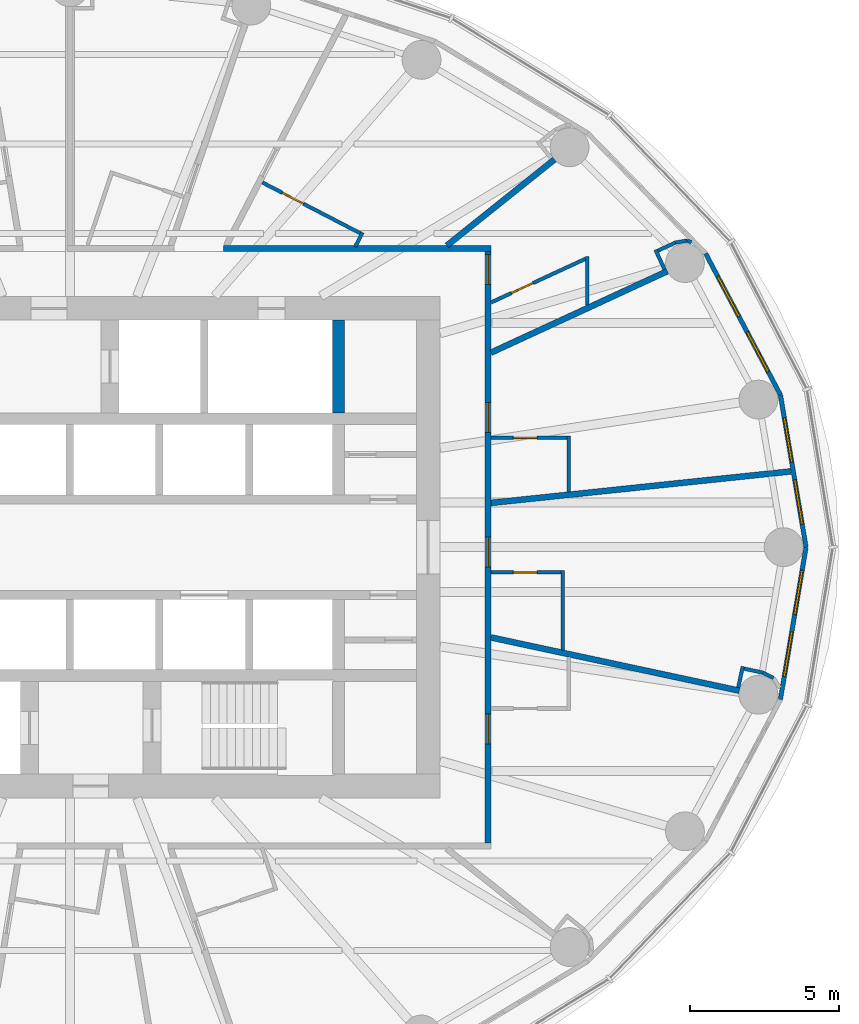
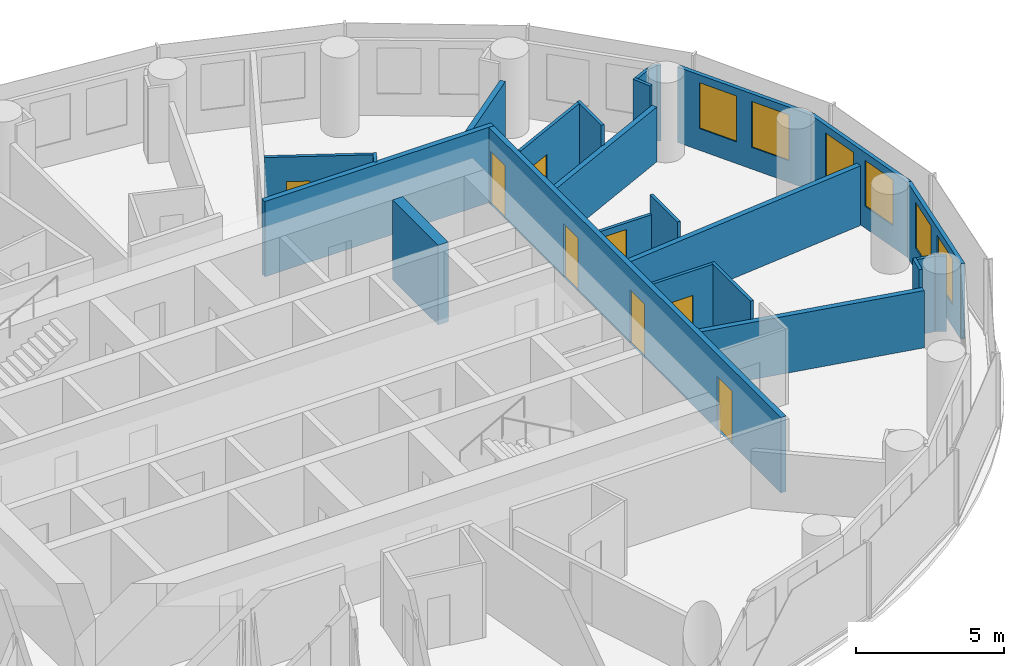
# One storey, part 10 of 14: 25 walls, 8 doors, 6 windows, 14 openings.
"""IFC4 building model written with IfcOpenShell, lengths in metres."""

from ifc_helpers import new_model, si_unit, direction, frame, frame_2d, origin, place, context, subcontext, project, spatial, rectangle, extrude, material, layer, layer_set, type_object, element, fill, save


model = new_model("IFC4")

# Units and contexts
model_context = context("Model", 3, precision=1e-05, world=origin(), true_north=direction((0.0, 1.0)))
body_context = subcontext(model_context, "Body", "Model", "MODEL_VIEW")
ifc_project = project(units=[si_unit("LENGTHUNIT", "METRE"), si_unit("AREAUNIT", "SQUARE_METRE"), si_unit("VOLUMEUNIT", "CUBIC_METRE"), si_unit("PLANEANGLEUNIT", "RADIAN"), si_unit("MASSUNIT", "GRAM", prefix="KILO")], contexts=[model_context])

# Site, building, storey
site_placement = place(None, origin())
site = spatial("IfcSite", under=ifc_project, at=site_placement, CompositionType="ELEMENT")
building_placement = place(site_placement, origin())
building = spatial("IfcBuilding", under=site, at=building_placement, Name="Hankou Lantern Tower", CompositionType="ELEMENT")
storey_placement = place(building_placement, frame((0.0, 0.0, 115.5)))
storey = spatial("IfcBuildingStorey", under=building, at=storey_placement, Name="L29", CompositionType="ELEMENT", Elevation=115.5)

# Wall
ifc_material_1 = material(Name="Concrete C60", Category="concrete")
ifc_layer_1 = layer(ifc_material_1, 0.39990234375)
ifc_layer_set_1 = layer_set([ifc_layer_1], Name="Concrete C60")
wall_type_1 = type_object("IfcWallType", Name="CW4 CORE CROSS WALL 400", PredefinedType="SHEAR", material=ifc_layer_set_1)
wall_1_placement = place(storey_placement, frame((9.0, 4.5, 0.0), z_axis=(0.0, 0.0, 1.0), x_axis=(0.0, 1.0, 0.0)))
element("IfcWall", 1, at=wall_1_placement, inside=storey, type_object=wall_type_1, Name="Core strip wall L29", PredefinedType="SHEAR", context=body_context, shape_type="SweptSolid", body=[
    extrude(rectangle(XDim=3.10009765625, YDim=0.39990234375, at=frame_2d((1.550048828125, 0.0))), origin(), (0.0, 0.0, 1.0), 3.300048828125),
])

# Wall, openings, windows
ifc_material_2 = material(Name="Aluminium spandrel panel on steel studs", Category="steel")
ifc_layer_2 = layer(ifc_material_2, 0.14990234375)
ifc_layer_set_2 = layer_set([ifc_layer_2], Name="Aluminium spandrel panel on steel studs")
wall_type_2 = type_object("IfcWallType", Name="EW1 INNER SKIN WALL 150", PredefinedType="ELEMENTEDWALL", material=ifc_layer_set_2)
wall_2_placement = place(storey_placement, frame((24.64990234375, 0.0, 0.0), z_axis=(0.0, 0.0, 1.0), x_axis=(-0.165883894218, 0.986145290329, 0.0)))
wall_2 = element("IfcWall", 2, at=wall_2_placement, inside=storey, type_object=wall_type_2, Name="Inner skin R01-R02 L29", PredefinedType="ELEMENTEDWALL", context=body_context, shape_type="SweptSolid", body=[
    extrude(rectangle(XDim=5.171630859375, YDim=0.14990234375, at=frame_2d((2.5859375, 0.0))), origin(), (0.0, 0.0, 1.0), 3.1201171875),
])
opening_1_placement = place(wall_2_placement, frame((0.785888671875, 0.0, 0.89990234375)))
opening_1 = element("IfcOpeningElement", 3, at=opening_1_placement, cuts=wall_2, Name="Opening W2", PredefinedType="OPENING", context=body_context, shape_type="SweptSolid", body=[
    extrude(rectangle(XDim=1.5, YDim=1.89990234375, at=frame_2d((0.75, 0.949951171875))), frame((0.0, 0.0849609375, 0.0), z_axis=(0.0, -1.0, 0.0), x_axis=(1.0, 0.0, 0.0)), (0.0, 0.0, 1.0), 0.169921875),
])
opening_2_placement = place(wall_2_placement, frame((2.8857421875, 0.0, 0.89990234375)))
opening_2 = element("IfcOpeningElement", 4, at=opening_2_placement, cuts=wall_2, Name="Opening W2", PredefinedType="OPENING", context=body_context, shape_type="SweptSolid", body=[
    extrude(rectangle(XDim=1.5, YDim=1.89990234375, at=frame_2d((0.75, 0.949951171875))), frame((0.0, 0.0849609375, 0.0), z_axis=(0.0, -1.0, 0.0), x_axis=(1.0, 0.0, 0.0)), (0.0, 0.0, 1.0), 0.169921875),
])
ifc_material_3 = material(Name="Aluminium framed double glazed window", Category="aluminium")
window_type = type_object("IfcWindowType", Name="W2 GUEST ROOM WINDOW 1500X1900", PartitioningType="DOUBLE_PANEL_VERTICAL", PredefinedType="WINDOW", material=ifc_material_3)
window_1_placement = place(opening_1_placement, origin())
window_1 = element("IfcWindow", 5, at=window_1_placement, inside=storey, type_object=window_type, Name="Window R01.1 L29", OverallHeight=1.89990234375, OverallWidth=1.5, PartitioningType="SINGLE_PANEL", PredefinedType="WINDOW", context=body_context, shape_type="SweptSolid", body=[
    extrude(rectangle(XDim=1.5, YDim=1.89990234375, at=frame_2d((0.75, 0.949951171875))), frame((0.0, 0.030029296875, 0.0), z_axis=(0.0, -1.0, 0.0), x_axis=(1.0, 0.0, 0.0)), (0.0, 0.0, 1.0), 0.06005859375),
])
fill(opening_1, window_1)
window_2_placement = place(opening_2_placement, origin())
window_2 = element("IfcWindow", 6, at=window_2_placement, inside=storey, type_object=window_type, Name="Window R01.2 L29", OverallHeight=1.89990234375, OverallWidth=1.5, PartitioningType="SINGLE_PANEL", PredefinedType="WINDOW", context=body_context, shape_type="SweptSolid", body=[
    extrude(rectangle(XDim=1.5, YDim=1.89990234375, at=frame_2d((0.75, 0.949951171875))), frame((0.0, 0.030029296875, 0.0), z_axis=(0.0, -1.0, 0.0), x_axis=(1.0, 0.0, 0.0)), (0.0, 0.0, 1.0), 0.06005859375),
])
fill(opening_2, window_2)

wall_3_placement = place(storey_placement, frame((23.7919921875, 5.10009765625, 0.0), z_axis=(0.0, 0.0, 1.0), x_axis=(-0.467814388454, 0.883826735257, 0.0)))
wall_3 = element("IfcWall", 7, at=wall_3_placement, inside=storey, type_object=wall_type_2, Name="Inner skin R02-R03 L29", PredefinedType="ELEMENTEDWALL", context=body_context, shape_type="SweptSolid", body=[
    extrude(rectangle(XDim=5.35400390625, YDim=0.14990234375, at=frame_2d((2.677001953125, 0.0))), origin(), (0.0, 0.0, 1.0), 3.1201171875),
])
opening_3_placement = place(wall_3_placement, frame((0.876953125, 0.0, 0.89990234375)))
opening_3 = element("IfcOpeningElement", 8, at=opening_3_placement, cuts=wall_3, Name="Opening W2", PredefinedType="OPENING", context=body_context, shape_type="SweptSolid", body=[
    extrude(rectangle(XDim=1.5, YDim=1.89990234375, at=frame_2d((0.75, 0.949951171875))), frame((0.0, 0.0849609375, 0.0), z_axis=(0.0, -1.0, 0.0), x_axis=(1.0, 0.0, 0.0)), (0.0, 0.0, 1.0), 0.169921875),
])
opening_4_placement = place(wall_3_placement, frame((2.97705078125, 0.0, 0.89990234375)))
opening_4 = element("IfcOpeningElement", 9, at=opening_4_placement, cuts=wall_3, Name="Opening W2", PredefinedType="OPENING", context=body_context, shape_type="SweptSolid", body=[
    extrude(rectangle(XDim=1.5, YDim=1.89990234375, at=frame_2d((0.75, 0.949951171875))), frame((0.0, 0.0849609375, 0.0), z_axis=(0.0, -1.0, 0.0), x_axis=(1.0, 0.0, 0.0)), (0.0, 0.0, 1.0), 0.169921875),
])
window_3_placement = place(opening_3_placement, origin())
window_3 = element("IfcWindow", 10, at=window_3_placement, inside=storey, type_object=window_type, Name="Window R02.1 L29", OverallHeight=1.89990234375, OverallWidth=1.5, PartitioningType="SINGLE_PANEL", PredefinedType="WINDOW", context=body_context, shape_type="SweptSolid", body=[
    extrude(rectangle(XDim=1.5, YDim=1.89990234375, at=frame_2d((0.75, 0.949951171875))), frame((0.0, 0.030029296875, 0.0), z_axis=(0.0, -1.0, 0.0), x_axis=(1.0, 0.0, 0.0)), (0.0, 0.0, 1.0), 0.06005859375),
])
fill(opening_3, window_3)
window_4_placement = place(opening_4_placement, origin())
window_4 = element("IfcWindow", 11, at=window_4_placement, inside=storey, type_object=window_type, Name="Window R02.2 L29", OverallHeight=1.89990234375, OverallWidth=1.5, PartitioningType="SINGLE_PANEL", PredefinedType="WINDOW", context=body_context, shape_type="SweptSolid", body=[
    extrude(rectangle(XDim=1.5, YDim=1.89990234375, at=frame_2d((0.75, 0.949951171875))), frame((0.0, 0.030029296875, 0.0), z_axis=(0.0, -1.0, 0.0), x_axis=(1.0, 0.0, 0.0)), (0.0, 0.0, 1.0), 0.06005859375),
])
fill(opening_4, window_4)

wall_4_placement = place(storey_placement, frame((23.7919921875, -5.10009765625, 0.0), z_axis=(0.0, 0.0, 1.0), x_axis=(0.165883894218, 0.986145290329, 0.0)))
wall_4 = element("IfcWall", 12, at=wall_4_placement, inside=storey, type_object=wall_type_2, Name="Inner skin R24-R01 L29", PredefinedType="ELEMENTEDWALL", context=body_context, shape_type="SweptSolid", body=[
    extrude(rectangle(XDim=5.171630859375, YDim=0.14990234375, at=frame_2d((2.5859375, 0.0))), origin(), (0.0, 0.0, 1.0), 3.1201171875),
])
opening_5_placement = place(wall_4_placement, frame((0.785888671875, 0.0, 0.89990234375)))
opening_5 = element("IfcOpeningElement", 13, at=opening_5_placement, cuts=wall_4, Name="Opening W2", PredefinedType="OPENING", context=body_context, shape_type="SweptSolid", body=[
    extrude(rectangle(XDim=1.5, YDim=1.89990234375, at=frame_2d((0.75, 0.949951171875))), frame((0.0, 0.0849609375, 0.0), z_axis=(0.0, -1.0, 0.0), x_axis=(1.0, 0.0, 0.0)), (0.0, 0.0, 1.0), 0.169921875),
])
opening_6_placement = place(wall_4_placement, frame((2.8857421875, 0.0, 0.89990234375)))
opening_6 = element("IfcOpeningElement", 14, at=opening_6_placement, cuts=wall_4, Name="Opening W2", PredefinedType="OPENING", context=body_context, shape_type="SweptSolid", body=[
    extrude(rectangle(XDim=1.5, YDim=1.89990234375, at=frame_2d((0.75, 0.949951171875))), frame((0.0, 0.0849609375, 0.0), z_axis=(0.0, -1.0, 0.0), x_axis=(1.0, 0.0, 0.0)), (0.0, 0.0, 1.0), 0.169921875),
])
window_5_placement = place(opening_5_placement, origin())
window_5 = element("IfcWindow", 15, at=window_5_placement, inside=storey, type_object=window_type, Name="Window R24.1 L29", OverallHeight=1.89990234375, OverallWidth=1.5, PartitioningType="SINGLE_PANEL", PredefinedType="WINDOW", context=body_context, shape_type="SweptSolid", body=[
    extrude(rectangle(XDim=1.5, YDim=1.89990234375, at=frame_2d((0.75, 0.949951171875))), frame((0.0, 0.030029296875, 0.0), z_axis=(0.0, -1.0, 0.0), x_axis=(1.0, 0.0, 0.0)), (0.0, 0.0, 1.0), 0.06005859375),
])
fill(opening_5, window_5)
window_6_placement = place(opening_6_placement, origin())
window_6 = element("IfcWindow", 16, at=window_6_placement, inside=storey, type_object=window_type, Name="Window R24.2 L29", OverallHeight=1.89990234375, OverallWidth=1.5, PartitioningType="SINGLE_PANEL", PredefinedType="WINDOW", context=body_context, shape_type="SweptSolid", body=[
    extrude(rectangle(XDim=1.5, YDim=1.89990234375, at=frame_2d((0.75, 0.949951171875))), frame((0.0, 0.030029296875, 0.0), z_axis=(0.0, -1.0, 0.0), x_axis=(1.0, 0.0, 0.0)), (0.0, 0.0, 1.0), 0.06005859375),
])
fill(opening_6, window_6)

# Walls
ifc_material_4 = material(Name="Masonry lightweight concrete block", Category="masonry")
ifc_layer_3 = layer(ifc_material_4, 0.199951171875)
ifc_layer_set_3 = layer_set([ifc_layer_3], Name="Masonry lightweight concrete block")
wall_type_3 = type_object("IfcWallType", Name="IW1 GUEST ROOM PARTY WALL 200", PredefinedType="PARTITIONING", material=ifc_layer_set_3)
wall_5_placement = place(storey_placement, frame((14.10009765625, 1.481689453125, 0.0), z_axis=(0.0, 0.0, 1.0), x_axis=(0.994523202615, 0.104516024894, 0.0)))
element("IfcWall", 17, at=wall_5_placement, inside=storey, type_object=wall_type_3, Name="Party wall R01-R02", PredefinedType="PARTITIONING", context=body_context, shape_type="SweptSolid", body=[
    extrude(rectangle(XDim=10.091064453125, YDim=0.199951171875, at=frame_2d((5.04541015625, 0.0))), origin(), (0.0, 0.0, 1.0), 2.469970703125),
])
wall_6_placement = place(storey_placement, frame((14.10009765625, 6.512451171875, 0.0), z_axis=(0.0, 0.0, 1.0), x_axis=(0.907833019998, 0.419331858797, 0.0)))
element("IfcWall", 18, at=wall_6_placement, inside=storey, type_object=wall_type_3, Name="Party wall R03", PredefinedType="PARTITIONING", context=body_context, shape_type="SweptSolid", body=[
    extrude(rectangle(XDim=6.505126953125, YDim=0.199951171875, at=frame_2d((3.25244140625, 0.0))), origin(), (0.0, 0.0, 1.0), 2.27001953125),
])
wall_7_placement = place(storey_placement, frame((12.625, 10.10009765625, 0.0), z_axis=(0.0, 0.0, 1.0), x_axis=(0.780863644897, 0.624701503182, 0.0)))
element("IfcWall", 19, at=wall_7_placement, inside=storey, type_object=wall_type_3, Name="Party wall R04", PredefinedType="PARTITIONING", context=body_context, shape_type="SweptSolid", body=[
    extrude(rectangle(XDim=4.612060546875, YDim=0.199951171875, at=frame_2d((2.30615234375, 0.0))), origin(), (0.0, 0.0, 1.0), 2.3701171875),
])
wall_8_placement = place(storey_placement, frame((14.10009765625, -3.0224609375, 0.0), z_axis=(0.0, 0.0, 1.0), x_axis=(0.977783513367, -0.209617272638, 0.0)))
element("IfcWall", 20, at=wall_8_placement, inside=storey, type_object=wall_type_3, Name="Party wall R24", PredefinedType="PARTITIONING", context=body_context, shape_type="SweptSolid", body=[
    extrude(rectangle(XDim=8.508056640625, YDim=0.199951171875, at=frame_2d((4.25390625, 0.0))), origin(), (0.0, 0.0, 1.0), 2.3701171875),
])

# Wall, openings, doors
ifc_material_5 = material(Name="Masonry lightweight concrete block", Category="masonry")
ifc_layer_4 = layer(ifc_material_5, 0.199951171875)
ifc_layer_set_4 = layer_set([ifc_layer_4], Name="Masonry lightweight concrete block")
wall_type_4 = type_object("IfcWallType", Name="IW2 CORRIDOR WALL 200", PredefinedType="PARTITIONING", material=ifc_layer_set_4)
wall_9_placement = place(storey_placement, frame((14.0, -9.89990234375, 0.0), z_axis=(0.0, 0.0, 1.0), x_axis=(0.0, 1.0, 0.0)))
wall_9 = element("IfcWall", 21, at=wall_9_placement, inside=storey, type_object=wall_type_4, Name="Corridor wall east", PredefinedType="PARTITIONING", context=body_context, shape_type="SweptSolid", body=[
    extrude(rectangle(XDim=19.7998046875, YDim=0.199951171875, at=frame_2d((9.89990234375, 0.0))), origin(), (0.0, 0.0, 1.0), 3.1201171875),
])
opening_7_placement = place(wall_9_placement, frame((3.317626953125, 0.0, 0.0)))
opening_7 = element("IfcOpeningElement", 22, at=opening_7_placement, cuts=wall_9, Name="Opening D2", PredefinedType="OPENING", context=body_context, shape_type="SweptSolid", body=[
    extrude(rectangle(XDim=1.0, YDim=2.199951171875, at=frame_2d((0.5, 1.10009765625))), frame((0.0, 0.10986328125, 0.0), z_axis=(0.0, -1.0, 0.0), x_axis=(1.0, 0.0, 0.0)), (0.0, 0.0, 1.0), 0.219970703125),
])
opening_8_placement = place(wall_9_placement, frame((9.237548828125, 0.0, 0.0)))
opening_8 = element("IfcOpeningElement", 23, at=opening_8_placement, cuts=wall_9, Name="Opening D1", PredefinedType="OPENING", context=body_context, shape_type="SweptSolid", body=[
    extrude(rectangle(XDim=1.0, YDim=2.199951171875, at=frame_2d((0.5, 1.10009765625))), frame((0.0, 0.10986328125, 0.0), z_axis=(0.0, -1.0, 0.0), x_axis=(1.0, 0.0, 0.0)), (0.0, 0.0, 1.0), 0.219970703125),
])
opening_9_placement = place(wall_9_placement, frame((13.74169921875, 0.0, 0.0)))
opening_9 = element("IfcOpeningElement", 24, at=opening_9_placement, cuts=wall_9, Name="Opening D1", PredefinedType="OPENING", context=body_context, shape_type="SweptSolid", body=[
    extrude(rectangle(XDim=1.0, YDim=2.199951171875, at=frame_2d((0.5, 1.10009765625))), frame((0.0, 0.10986328125, 0.0), z_axis=(0.0, -1.0, 0.0), x_axis=(1.0, 0.0, 0.0)), (0.0, 0.0, 1.0), 0.219970703125),
])
opening_10_placement = place(wall_9_placement, frame((18.697509765625, 0.0, 0.0)))
opening_10 = element("IfcOpeningElement", 25, at=opening_10_placement, cuts=wall_9, Name="Opening D1", PredefinedType="OPENING", context=body_context, shape_type="SweptSolid", body=[
    extrude(rectangle(XDim=1.0, YDim=2.199951171875, at=frame_2d((0.5, 1.10009765625))), frame((0.0, 0.10986328125, 0.0), z_axis=(0.0, -1.0, 0.0), x_axis=(1.0, 0.0, 0.0)), (0.0, 0.0, 1.0), 0.219970703125),
])
ifc_material_6 = material(Name="Steel door leaf", Category="steel")
door_type_1 = type_object("IfcDoorType", Name="D1 GUEST ROOM DOOR 1000X2200", OperationType="SINGLE_SWING_LEFT", PredefinedType="DOOR", material=ifc_material_6)
door_1_placement = place(opening_8_placement, origin())
door_1 = element("IfcDoor", 26, at=door_1_placement, inside=storey, type_object=door_type_1, Name="Guest room door 2917", OperationType="SINGLE_SWING_LEFT", OverallHeight=2.199951171875, OverallWidth=1.0, PredefinedType="DOOR", context=body_context, shape_type="SweptSolid", body=[
    extrude(rectangle(XDim=1.0, YDim=2.199951171875, at=frame_2d((0.5, 1.10009765625))), frame((0.0, 0.02490234375, 0.0), z_axis=(0.0, -1.0, 0.0), x_axis=(1.0, 0.0, 0.0)), (0.0, 0.0, 1.0), 0.050048828125),
])
fill(opening_8, door_1)
door_2_placement = place(opening_9_placement, origin())
door_2 = element("IfcDoor", 27, at=door_2_placement, inside=storey, type_object=door_type_1, Name="Guest room door 2918", OperationType="SINGLE_SWING_RIGHT", OverallHeight=2.199951171875, OverallWidth=1.0, PredefinedType="DOOR", context=body_context, shape_type="SweptSolid", body=[
    extrude(rectangle(XDim=1.0, YDim=2.199951171875, at=frame_2d((0.5, 1.10009765625))), frame((0.0, 0.02490234375, 0.0), z_axis=(0.0, -1.0, 0.0), x_axis=(1.0, 0.0, 0.0)), (0.0, 0.0, 1.0), 0.050048828125),
])
fill(opening_9, door_2)
door_3_placement = place(opening_10_placement, origin())
door_3 = element("IfcDoor", 28, at=door_3_placement, inside=storey, type_object=door_type_1, Name="Guest room door 2919", OperationType="SINGLE_SWING_RIGHT", OverallHeight=2.199951171875, OverallWidth=1.0, PredefinedType="DOOR", context=body_context, shape_type="SweptSolid", body=[
    extrude(rectangle(XDim=1.0, YDim=2.199951171875, at=frame_2d((0.5, 1.10009765625))), frame((0.0, 0.02490234375, 0.0), z_axis=(0.0, -1.0, 0.0), x_axis=(1.0, 0.0, 0.0)), (0.0, 0.0, 1.0), 0.050048828125),
])
fill(opening_10, door_3)
ifc_material_7 = material(Name="Steel door leaf", Category="steel")
door_type_2 = type_object("IfcDoorType", Name="D2 SUITE DOOR 1000X2200", OperationType="SINGLE_SWING_LEFT", PredefinedType="DOOR", material=ifc_material_7)
door_4_placement = place(opening_7_placement, origin())
door_4 = element("IfcDoor", 29, at=door_4_placement, inside=storey, type_object=door_type_2, Name="Suite door 2916", OperationType="SINGLE_SWING_LEFT", OverallHeight=2.199951171875, OverallWidth=1.0, PredefinedType="DOOR", context=body_context, shape_type="SweptSolid", body=[
    extrude(rectangle(XDim=1.0, YDim=2.199951171875, at=frame_2d((0.5, 1.10009765625))), frame((0.0, 0.02490234375, 0.0), z_axis=(0.0, -1.0, 0.0), x_axis=(1.0, 0.0, 0.0)), (0.0, 0.0, 1.0), 0.050048828125),
])
fill(opening_7, door_4)

# Walls
wall_10_placement = place(storey_placement, frame((5.13916015625, 10.0, 0.0), z_axis=(0.0, 0.0, 1.0), x_axis=(1.0, 0.0, 0.0)))
element("IfcWall", 30, at=wall_10_placement, inside=storey, type_object=wall_type_4, Name="Corridor wall north", PredefinedType="PARTITIONING", context=body_context, shape_type="SweptSolid", body=[
    extrude(rectangle(XDim=8.9609375, YDim=0.199951171875, at=frame_2d((4.48046875, 0.0))), origin(), (0.0, 0.0, 1.0), 3.1201171875),
])
ifc_material_8 = material(Name="Masonry lightweight concrete block", Category="masonry")
ifc_layer_5 = layer(ifc_material_8, 0.1201171875)
ifc_layer_set_5 = layer_set([ifc_layer_5], Name="Masonry lightweight concrete block")
wall_type_5 = type_object("IfcWallType", Name="IW3 BATHROOM WALL 120", PredefinedType="PARTITIONING", material=ifc_layer_set_5)
wall_11_placement = place(storey_placement, frame((16.5, -3.43701171875, 0.0), z_axis=(0.0, 0.0, 1.0), x_axis=(0.0, 1.0, 0.0)))
element("IfcWall", 31, at=wall_11_placement, inside=storey, type_object=wall_type_5, Name="Box wall 2917 1", PredefinedType="PARTITIONING", context=body_context, shape_type="SweptSolid", body=[
    extrude(rectangle(XDim=2.654541015625, YDim=0.1201171875, at=frame_2d((1.3271484375, 0.0))), origin(), (0.0, 0.0, 1.0), 3.1201171875),
])

# Wall, opening, door
wall_12_placement = place(storey_placement, frame((14.10009765625, -0.842529296875, 0.0), z_axis=(0.0, 0.0, 1.0), x_axis=(1.0, 0.0, 0.0)))
wall_12 = element("IfcWall", 32, at=wall_12_placement, inside=storey, type_object=wall_type_5, Name="Box wall 2917 1", PredefinedType="PARTITIONING", context=body_context, shape_type="SweptSolid", body=[
    extrude(rectangle(XDim=2.33984375, YDim=0.1201171875, at=frame_2d((1.169921875, 0.0))), origin(), (0.0, 0.0, 1.0), 3.1201171875),
])
opening_11_placement = place(wall_12_placement, frame((0.75, 0.0, 0.0)))
opening_11 = element("IfcOpeningElement", 33, at=opening_11_placement, cuts=wall_12, Name="Opening D3", PredefinedType="OPENING", context=body_context, shape_type="SweptSolid", body=[
    extrude(rectangle(XDim=0.800048828125, YDim=2.10009765625, at=frame_2d((0.39990234375, 1.050048828125))), frame((0.0, 0.070068359375, 0.0), z_axis=(0.0, -1.0, 0.0), x_axis=(1.0, 0.0, 0.0)), (0.0, 0.0, 1.0), 0.14013671875),
])
ifc_material_9 = material(Name="Timber door leaf", Category="wood")
door_type_3 = type_object("IfcDoorType", Name="D3 BATHROOM DOOR 800X2100", OperationType="SINGLE_SWING_LEFT", PredefinedType="DOOR", material=ifc_material_9)
door_5_placement = place(opening_11_placement, origin())
door_5 = element("IfcDoor", 34, at=door_5_placement, inside=storey, type_object=door_type_3, Name="En-suite bathroom 2917 door", OperationType="SINGLE_SWING_LEFT", OverallHeight=2.10009765625, OverallWidth=0.800048828125, PredefinedType="DOOR", context=body_context, shape_type="SweptSolid", body=[
    extrude(rectangle(XDim=0.800048828125, YDim=2.10009765625, at=frame_2d((0.39990234375, 1.050048828125))), frame((0.0, 0.02490234375, 0.0), z_axis=(0.0, -1.0, 0.0), x_axis=(1.0, 0.0, 0.0)), (0.0, 0.0, 1.0), 0.050048828125),
])
fill(opening_11, door_5)

# Wall
wall_13_placement = place(storey_placement, frame((16.699951171875, 1.85498046875, 0.0), z_axis=(0.0, 0.0, 1.0), x_axis=(0.0, 1.0, 0.0)))
element("IfcWall", 35, at=wall_13_placement, inside=storey, type_object=wall_type_5, Name="Box wall 2918 1", PredefinedType="PARTITIONING", context=body_context, shape_type="SweptSolid", body=[
    extrude(rectangle(XDim=1.86669921875, YDim=0.1201171875, at=frame_2d((0.933349609375, 0.0))), origin(), (0.0, 0.0, 1.0), 3.1201171875),
])

# Wall, opening, door
wall_14_placement = place(storey_placement, frame((14.10009765625, 3.661865234375, 0.0), z_axis=(0.0, 0.0, 1.0), x_axis=(1.0, 0.0, 0.0)))
wall_14 = element("IfcWall", 36, at=wall_14_placement, inside=storey, type_object=wall_type_5, Name="Box wall 2918 1", PredefinedType="PARTITIONING", context=body_context, shape_type="SweptSolid", body=[
    extrude(rectangle(XDim=2.539794921875, YDim=0.1201171875, at=frame_2d((1.27001953125, 0.0))), origin(), (0.0, 0.0, 1.0), 2.3701171875),
])
opening_12_placement = place(wall_14_placement, frame((0.75, 0.0, 0.0)))
opening_12 = element("IfcOpeningElement", 37, at=opening_12_placement, cuts=wall_14, Name="Opening D3", PredefinedType="OPENING", context=body_context, shape_type="SweptSolid", body=[
    extrude(rectangle(XDim=0.800048828125, YDim=2.10009765625, at=frame_2d((0.39990234375, 1.050048828125))), frame((0.0, 0.070068359375, 0.0), z_axis=(0.0, -1.0, 0.0), x_axis=(1.0, 0.0, 0.0)), (0.0, 0.0, 1.0), 0.14013671875),
])
door_6_placement = place(opening_12_placement, origin())
door_6 = element("IfcDoor", 38, at=door_6_placement, inside=storey, type_object=door_type_3, Name="En-suite bathroom 2918 door", OperationType="SINGLE_SWING_LEFT", OverallHeight=2.10009765625, OverallWidth=0.800048828125, PredefinedType="DOOR", context=body_context, shape_type="SweptSolid", body=[
    extrude(rectangle(XDim=0.800048828125, YDim=2.10009765625, at=frame_2d((0.39990234375, 1.050048828125))), frame((0.0, 0.02490234375, 0.0), z_axis=(0.0, -1.0, 0.0), x_axis=(1.0, 0.0, 0.0)), (0.0, 0.0, 1.0), 0.050048828125),
])
fill(opening_12, door_6)

# Wall
wall_15_placement = place(storey_placement, frame((17.32275390625, 8.10107421875, 0.0), z_axis=(0.0, 0.0, 1.0), x_axis=(0.0, 1.0, 0.0)))
element("IfcWall", 39, at=wall_15_placement, inside=storey, type_object=wall_type_5, Name="Box wall 2919 1", PredefinedType="PARTITIONING", context=body_context, shape_type="SweptSolid", body=[
    extrude(rectangle(XDim=1.639892578125, YDim=0.1201171875, at=frame_2d((0.81982421875, 0.0))), origin(), (0.0, 0.0, 1.0), 3.1201171875),
])

# Wall, opening, door
wall_16_placement = place(storey_placement, frame((14.10009765625, 8.192626953125, 0.0), z_axis=(0.0, 0.0, 1.0), x_axis=(0.907836493557, 0.419324338628, 0.0)))
wall_16 = element("IfcWall", 40, at=wall_16_placement, inside=storey, type_object=wall_type_5, Name="Box wall 2919 1", PredefinedType="PARTITIONING", context=body_context, shape_type="SweptSolid", body=[
    extrude(rectangle(XDim=3.48974609375, YDim=0.1201171875, at=frame_2d((1.744873046875, 0.0))), origin(), (0.0, 0.0, 1.0), 3.1201171875),
])
opening_13_placement = place(wall_16_placement, frame((0.75, 0.0, 0.0)))
opening_13 = element("IfcOpeningElement", 41, at=opening_13_placement, cuts=wall_16, Name="Opening D3", PredefinedType="OPENING", context=body_context, shape_type="SweptSolid", body=[
    extrude(rectangle(XDim=0.800048828125, YDim=2.10009765625, at=frame_2d((0.39990234375, 1.050048828125))), frame((0.0, 0.070068359375, 0.0), z_axis=(0.0, -1.0, 0.0), x_axis=(1.0, 0.0, 0.0)), (0.0, 0.0, 1.0), 0.14013671875),
])
door_7_placement = place(opening_13_placement, origin())
door_7 = element("IfcDoor", 42, at=door_7_placement, inside=storey, type_object=door_type_3, Name="En-suite bathroom 2919 door", OperationType="SINGLE_SWING_LEFT", OverallHeight=2.10009765625, OverallWidth=0.800048828125, PredefinedType="DOOR", context=body_context, shape_type="SweptSolid", body=[
    extrude(rectangle(XDim=0.800048828125, YDim=2.10009765625, at=frame_2d((0.39990234375, 1.050048828125))), frame((0.0, 0.02490234375, 0.0), z_axis=(0.0, -1.0, 0.0), x_axis=(1.0, 0.0, 0.0)), (0.0, 0.0, 1.0), 0.050048828125),
])
fill(opening_13, door_7)

# Wall
wall_17_placement = place(storey_placement, frame((9.552490234375, 10.053955078125, 0.0), z_axis=(0.0, 0.0, 1.0), x_axis=(0.460604866949, 0.887605293215, 0.0)))
element("IfcWall", 43, at=wall_17_placement, inside=storey, type_object=wall_type_5, Name="Box wall 2920 1", PredefinedType="PARTITIONING", context=body_context, shape_type="SweptSolid", body=[
    extrude(rectangle(XDim=0.544921875, YDim=0.1201171875, at=frame_2d((0.2724609375, 0.0))), origin(), (0.0, 0.0, 1.0), 3.1201171875),
])

# Wall, opening, door
wall_18_placement = place(storey_placement, frame((6.447021484375, 12.2109375, 0.0), z_axis=(0.0, 0.0, 1.0), x_axis=(0.887685422499, -0.460450421525, 0.0)))
wall_18 = element("IfcWall", 44, at=wall_18_placement, inside=storey, type_object=wall_type_5, Name="Box wall 2920 1", PredefinedType="PARTITIONING", context=body_context, shape_type="SweptSolid", body=[
    extrude(rectangle(XDim=3.689697265625, YDim=0.1201171875, at=frame_2d((1.8447265625, 0.0))), origin(), (0.0, 0.0, 1.0), 3.1201171875),
])
opening_14_placement = place(wall_18_placement, frame((0.75, 0.0, 0.0)))
opening_14 = element("IfcOpeningElement", 45, at=opening_14_placement, cuts=wall_18, Name="Opening D3", PredefinedType="OPENING", context=body_context, shape_type="SweptSolid", body=[
    extrude(rectangle(XDim=0.800048828125, YDim=2.10009765625, at=frame_2d((0.39990234375, 1.050048828125))), frame((0.0, 0.070068359375, 0.0), z_axis=(0.0, -1.0, 0.0), x_axis=(1.0, 0.0, 0.0)), (0.0, 0.0, 1.0), 0.14013671875),
])
door_8_placement = place(opening_14_placement, origin())
door_8 = element("IfcDoor", 46, at=door_8_placement, inside=storey, type_object=door_type_3, Name="En-suite bathroom 2920 door", OperationType="SINGLE_SWING_LEFT", OverallHeight=2.10009765625, OverallWidth=0.800048828125, PredefinedType="DOOR", context=body_context, shape_type="SweptSolid", body=[
    extrude(rectangle(XDim=0.800048828125, YDim=2.10009765625, at=frame_2d((0.39990234375, 1.050048828125))), frame((0.0, 0.02490234375, 0.0), z_axis=(0.0, -1.0, 0.0), x_axis=(1.0, 0.0, 0.0)), (0.0, 0.0, 1.0), 0.050048828125),
])
fill(opening_14, door_8)

# Walls
ifc_material_10 = material(Name="Masonry lightweight concrete block", Category="masonry")
ifc_layer_6 = layer(ifc_material_10, 0.1201171875)
ifc_layer_set_6 = layer_set([ifc_layer_6], Name="Masonry lightweight concrete block")
wall_type_6 = type_object("IfcWallType", Name="IW4 PARTITION 120", PredefinedType="PARTITIONING", material=ifc_layer_set_6)
wall_19_placement = place(storey_placement, frame((19.9091796875, 9.305908203125, 0.0), z_axis=(0.0, 0.0, 1.0), x_axis=(-0.419296148934, 0.90784951368, 0.0)))
element("IfcWall", 47, at=wall_19_placement, inside=storey, type_object=wall_type_6, Name="Column casing R03 return", PredefinedType="PARTITIONING", context=body_context, shape_type="SweptSolid", body=[
    extrude(rectangle(XDim=0.715576171875, YDim=0.1201171875, at=frame_2d((0.35791015625, 0.0))), origin(), (0.0, 0.0, 1.0), 3.1201171875),
])
wall_20_placement = place(storey_placement, frame((19.688720703125, 9.92626953125, 0.0), z_axis=(0.0, 0.0, 1.0), x_axis=(0.907893409272, 0.419201094227, 0.0)))
element("IfcWall", 48, at=wall_20_placement, inside=storey, type_object=wall_type_6, Name="Column casing R03", PredefinedType="PARTITIONING", context=body_context, shape_type="SweptSolid", body=[
    extrude(rectangle(XDim=0.64990234375, YDim=0.1201171875, at=frame_2d((0.324951171875, 0.0))), origin(), (0.0, 0.0, 1.0), 3.1201171875),
])
wall_21_placement = place(storey_placement, frame((20.27880859375, 10.19873046875, 0.0), z_axis=(0.0, 0.0, 1.0), x_axis=(0.985380740712, 0.170366651181, 0.0)))
element("IfcWall", 49, at=wall_21_placement, inside=storey, type_object=wall_type_6, Name="Column casing R03", PredefinedType="PARTITIONING", context=body_context, shape_type="SweptSolid", body=[
    extrude(rectangle(XDim=0.39111328125, YDim=0.1201171875, at=frame_2d((0.195556640625, 0.0))), origin(), (0.0, 0.0, 1.0), 3.1201171875),
])
wall_22_placement = place(storey_placement, frame((20.664306640625, 10.265380859375, 0.0), z_axis=(0.0, 0.0, 1.0), x_axis=(0.938058651481, -0.346476501918, 0.0)))
element("IfcWall", 50, at=wall_22_placement, inside=storey, type_object=wall_type_6, Name="Column casing R03", PredefinedType="PARTITIONING", context=body_context, shape_type="SweptSolid", body=[
    extrude(rectangle(XDim=0.161376953125, YDim=0.1201171875, at=frame_2d((0.08056640625, 0.0))), origin(), (0.0, 0.0, 1.0), 3.1201171875),
])
wall_23_placement = place(storey_placement, frame((22.381591796875, -4.6953125, 0.0), z_axis=(0.0, 0.0, 1.0), x_axis=(0.209808658628, 0.977742464438, 0.0)))
element("IfcWall", 51, at=wall_23_placement, inside=storey, type_object=wall_type_6, Name="Column casing R24 return", PredefinedType="PARTITIONING", context=body_context, shape_type="SweptSolid", body=[
    extrude(rectangle(XDim=0.715576171875, YDim=0.1201171875, at=frame_2d((0.35791015625, 0.0))), origin(), (0.0, 0.0, 1.0), 3.1201171875),
])
wall_24_placement = place(storey_placement, frame((22.57763671875, -4.06689453125, 0.0), z_axis=(0.0, 0.0, 1.0), x_axis=(0.977802414077, -0.209529088731, 0.0)))
element("IfcWall", 52, at=wall_24_placement, inside=storey, type_object=wall_type_6, Name="Column casing R24", PredefinedType="PARTITIONING", context=body_context, shape_type="SweptSolid", body=[
    extrude(rectangle(XDim=0.650146484375, YDim=0.1201171875, at=frame_2d((0.3251953125, 0.0))), origin(), (0.0, 0.0, 1.0), 3.1201171875),
])
wall_25_placement = place(storey_placement, frame((23.21337890625, -4.203125, 0.0), z_axis=(0.0, 0.0, 1.0), x_axis=(0.890142184171, -0.455682885305, 0.0)))
element("IfcWall", 53, at=wall_25_placement, inside=storey, type_object=wall_type_6, Name="Column casing R24", PredefinedType="PARTITIONING", context=body_context, shape_type="SweptSolid", body=[
    extrude(rectangle(XDim=0.39111328125, YDim=0.1201171875, at=frame_2d((0.195556640625, 0.0))), origin(), (0.0, 0.0, 1.0), 3.1201171875),
])

save(model, "model.ifc")
